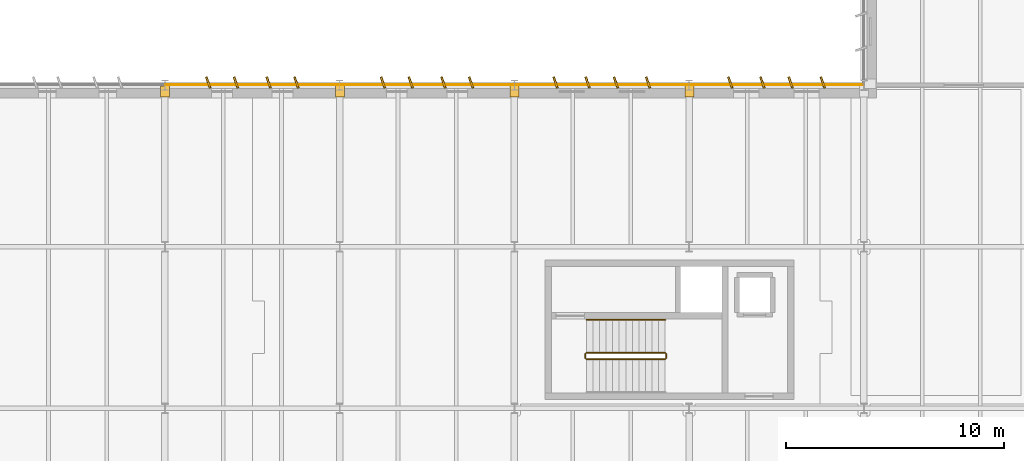
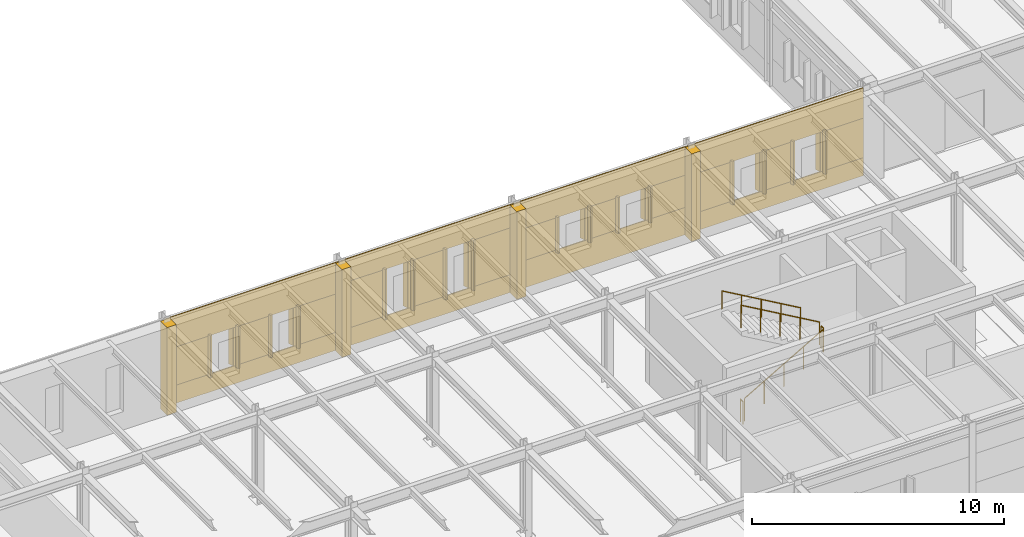
# One storey, part 66 of 75: 40 coverings, 5 railings.
"""IFC4 building model written with IfcOpenShell, lengths in metres."""

from ifc_helpers import new_model, si_unit, direction, frame, frame_2d, origin, origin_2d, place, context, subcontext, project, spatial, rectangle, circle, extrude, material, layer, layer_set, type_object, element, save


model = new_model("IFC4")

# Units and contexts
model_context = context("Model", 3, precision=1e-05, world=origin(), true_north=direction((0.0, 1.0)))
body_context = subcontext(model_context, "Body", "Model", "MODEL_VIEW")
ifc_project = project(units=[si_unit("LENGTHUNIT", "METRE"), si_unit("AREAUNIT", "SQUARE_METRE"), si_unit("VOLUMEUNIT", "CUBIC_METRE"), si_unit("PLANEANGLEUNIT", "RADIAN"), si_unit("MASSUNIT", "GRAM", prefix="KILO")], contexts=[model_context])

# Site, building, storey
site_placement = place(None, origin())
site = spatial("IfcSite", under=ifc_project, at=site_placement, CompositionType="ELEMENT")
building_placement = place(site_placement, origin())
building = spatial("IfcBuilding", under=site, at=building_placement, Name="Valkorina Park Police Headquarters", CompositionType="ELEMENT")
storey_placement = place(building_placement, frame((0.0, 0.0, 5.39990234375)))
storey = spatial("IfcBuildingStorey", under=building, at=storey_placement, Name="L02", CompositionType="ELEMENT", Elevation=5.39990234375)

# Coverings
ifc_material_1 = material(Name="Precast concrete C40/50", Category="concrete")
ifc_layer = layer(ifc_material_1, 0.044921875)
ifc_layer_set = layer_set([ifc_layer], Name="Precast concrete C40/50")
covering_type = type_object("IfcCoveringType", Name="COV-CLAD-DOLOMITE", PredefinedType="CLADDING", material=ifc_layer_set)
for number, where, z_axis, x_axis, name in (
    (1, (64.81005859375, 81.110107421875, 0.0), (0.0, 0.0, 1.0), (1.0, 0.0, 0.0), "L02 Exterior Joint Closure Pilaster B 1242"),
    (2, (72.81005859375, 81.110107421875, 0.0), (0.0, 0.0, 1.0), (1.0, 0.0, 0.0), "L02 Exterior Joint Closure Pilaster B 1252"),
):
    element("IfcCovering", number, at=place(storey_placement, frame(where, z_axis=z_axis, x_axis=x_axis)), inside=storey, type_object=covering_type, Name=name, PredefinedType="CLADDING", context=body_context, shape_type="SweptSolid", body=[
        extrude(rectangle(XDim=0.419921875, YDim=0.52197265625, at=origin_2d()), origin(), (0.0, 0.0, 1.0), 4.239990234375),
    ])
for number, where, z_axis, x_axis, name in (
    (3, (66.78271484375, 81.52001953125, 0.780029296875), (0.0, 0.0, 1.0), (-0.317304656405, 0.948323655206, 0.0), "Slanted 18.5-deg Precast Window Slot Fin 1253"),
    (4, (68.052490234375, 81.52001953125, 0.780029296875), (0.0, 0.0, 1.0), (-0.317304656405, 0.948323655206, 0.0), "Slanted 18.5-deg Precast Window Slot Fin 1254"),
    (5, (69.54736328125, 81.52001953125, 0.780029296875), (0.0, 0.0, 1.0), (-0.317304656405, 0.948323655206, 0.0), "Slanted 18.5-deg Precast Window Slot Fin 1255"),
    (6, (70.8173828125, 81.52001953125, 0.780029296875), (0.0, 0.0, 1.0), (-0.317304656405, 0.948323655206, 0.0), "Slanted 18.5-deg Precast Window Slot Fin 1256"),
):
    element("IfcCovering", number, at=place(storey_placement, frame(where, z_axis=z_axis, x_axis=x_axis)), inside=storey, type_object=covering_type, Name=name, PredefinedType="CLADDING", context=body_context, shape_type="SweptSolid", body=[
        extrude(rectangle(XDim=0.5400390625, YDim=0.090087890625, at=origin_2d()), origin(), (0.0, 0.0, 1.0), 2.0400390625),
    ])
covering_1_placement = place(storey_placement, frame((64.820068359375, 81.4150390625, 0.0), z_axis=(0.0, 0.0, 1.0), x_axis=(1.0, 0.0, 0.0)))
element("IfcCovering", 7, at=covering_1_placement, inside=storey, type_object=covering_type, Name="L02 Calm Concrete Base Sill Spandrel 1257", PredefinedType="CLADDING", context=body_context, shape_type="SweptSolid", body=[
    extrude(rectangle(XDim=7.9599609375, YDim=0.044921875, at=frame_2d((3.97998046875, 0.0))), origin(), (0.0, 0.0, 1.0), 0.8701171875),
])
covering_2_placement = place(storey_placement, frame((64.820068359375, 81.4150390625, 2.72998046875), z_axis=(0.0, 0.0, 1.0), x_axis=(1.0, 0.0, 0.0)))
element("IfcCovering", 8, at=covering_2_placement, inside=storey, type_object=covering_type, Name="L02 Calm Concrete Base Lintel Spandrel 1258", PredefinedType="CLADDING", context=body_context, shape_type="SweptSolid", body=[
    extrude(rectangle(XDim=7.9599609375, YDim=0.044921875, at=frame_2d((3.97998046875, 0.0))), origin(), (0.0, 0.0, 1.0), 1.510009765625),
])
covering_3_placement = place(storey_placement, frame((64.820068359375, 81.4150390625, 0.8701171875), z_axis=(0.0, 0.0, 1.0), x_axis=(1.0, 0.0, 0.0)))
element("IfcCovering", 9, at=covering_3_placement, inside=storey, type_object=covering_type, Name="L02 Calm Concrete Base Slot Pier 1259", PredefinedType="CLADDING", context=body_context, shape_type="SweptSolid", body=[
    extrude(rectangle(XDim=2.072509765625, YDim=0.044921875, at=frame_2d((1.0361328125, 0.0))), origin(), (0.0, 0.0, 1.0), 1.85986328125),
])
covering_4_placement = place(storey_placement, frame((67.942626953125, 81.4150390625, 0.8701171875), z_axis=(0.0, 0.0, 1.0), x_axis=(1.0, 0.0, 0.0)))
element("IfcCovering", 10, at=covering_4_placement, inside=storey, type_object=covering_type, Name="L02 Calm Concrete Base Slot Pier 1260", PredefinedType="CLADDING", context=body_context, shape_type="SweptSolid", body=[
    extrude(rectangle(XDim=1.71484375, YDim=0.044921875, at=frame_2d((0.857421875, 0.0))), origin(), (0.0, 0.0, 1.0), 1.85986328125),
])
covering_5_placement = place(storey_placement, frame((70.70751953125, 81.4150390625, 0.8701171875), z_axis=(0.0, 0.0, 1.0), x_axis=(1.0, 0.0, 0.0)))
element("IfcCovering", 11, at=covering_5_placement, inside=storey, type_object=covering_type, Name="L02 Calm Concrete Base Slot Pier 1261", PredefinedType="CLADDING", context=body_context, shape_type="SweptSolid", body=[
    extrude(rectangle(XDim=2.072509765625, YDim=0.044921875, at=frame_2d((1.0361328125, 0.0))), origin(), (0.0, 0.0, 1.0), 1.85986328125),
])
covering_6_placement = place(storey_placement, frame((80.81005859375, 81.110107421875, 0.0), z_axis=(0.0, 0.0, 1.0), x_axis=(1.0, 0.0, 0.0)))
element("IfcCovering", 12, at=covering_6_placement, inside=storey, type_object=covering_type, Name="L02 Exterior Joint Closure Pilaster B 1262", PredefinedType="CLADDING", context=body_context, shape_type="SweptSolid", body=[
    extrude(rectangle(XDim=0.419921875, YDim=0.52197265625, at=origin_2d()), origin(), (0.0, 0.0, 1.0), 4.239990234375),
])
for number, where, z_axis, x_axis, name in (
    (13, (74.78271484375, 81.52001953125, 0.780029296875), (0.0, 0.0, 1.0), (-0.317304656405, 0.948323655206, 0.0), "Slanted 18.5-deg Precast Window Slot Fin 1263"),
    (14, (76.052490234375, 81.52001953125, 0.780029296875), (0.0, 0.0, 1.0), (-0.317304656405, 0.948323655206, 0.0), "Slanted 18.5-deg Precast Window Slot Fin 1264"),
    (15, (77.54736328125, 81.52001953125, 0.780029296875), (0.0, 0.0, 1.0), (-0.317304656405, 0.948323655206, 0.0), "Slanted 18.5-deg Precast Window Slot Fin 1265"),
    (16, (78.8173828125, 81.52001953125, 0.780029296875), (0.0, 0.0, 1.0), (-0.317304656405, 0.948323655206, 0.0), "Slanted 18.5-deg Precast Window Slot Fin 1266"),
):
    element("IfcCovering", number, at=place(storey_placement, frame(where, z_axis=z_axis, x_axis=x_axis)), inside=storey, type_object=covering_type, Name=name, PredefinedType="CLADDING", context=body_context, shape_type="SweptSolid", body=[
        extrude(rectangle(XDim=0.5400390625, YDim=0.090087890625, at=origin_2d()), origin(), (0.0, 0.0, 1.0), 2.43994140625),
    ])
covering_7_placement = place(storey_placement, frame((72.820068359375, 81.4150390625, 0.0), z_axis=(0.0, 0.0, 1.0), x_axis=(1.0, 0.0, 0.0)))
element("IfcCovering", 17, at=covering_7_placement, inside=storey, type_object=covering_type, Name="L02 Calm Concrete Base Sill Spandrel 1267", PredefinedType="CLADDING", context=body_context, shape_type="SweptSolid", body=[
    extrude(rectangle(XDim=7.9599609375, YDim=0.044921875, at=frame_2d((3.97998046875, 0.0))), origin(), (0.0, 0.0, 1.0), 0.8701171875),
])
covering_8_placement = place(storey_placement, frame((72.820068359375, 81.4150390625, 3.130126953125), z_axis=(0.0, 0.0, 1.0), x_axis=(1.0, 0.0, 0.0)))
element("IfcCovering", 18, at=covering_8_placement, inside=storey, type_object=covering_type, Name="L02 Calm Concrete Base Lintel Spandrel 1268", PredefinedType="CLADDING", context=body_context, shape_type="SweptSolid", body=[
    extrude(rectangle(XDim=7.9599609375, YDim=0.044921875, at=frame_2d((3.97998046875, 0.0))), origin(), (0.0, 0.0, 1.0), 1.10986328125),
])
covering_9_placement = place(storey_placement, frame((72.820068359375, 81.4150390625, 0.8701171875), z_axis=(0.0, 0.0, 1.0), x_axis=(1.0, 0.0, 0.0)))
element("IfcCovering", 19, at=covering_9_placement, inside=storey, type_object=covering_type, Name="L02 Calm Concrete Base Slot Pier 1269", PredefinedType="CLADDING", context=body_context, shape_type="SweptSolid", body=[
    extrude(rectangle(XDim=2.072509765625, YDim=0.044921875, at=frame_2d((1.0361328125, 0.0))), origin(), (0.0, 0.0, 1.0), 2.260009765625),
])
covering_10_placement = place(storey_placement, frame((75.942626953125, 81.4150390625, 0.8701171875), z_axis=(0.0, 0.0, 1.0), x_axis=(1.0, 0.0, 0.0)))
element("IfcCovering", 20, at=covering_10_placement, inside=storey, type_object=covering_type, Name="L02 Calm Concrete Base Slot Pier 1270", PredefinedType="CLADDING", context=body_context, shape_type="SweptSolid", body=[
    extrude(rectangle(XDim=1.71484375, YDim=0.044921875, at=frame_2d((0.857421875, 0.0))), origin(), (0.0, 0.0, 1.0), 2.260009765625),
])
covering_11_placement = place(storey_placement, frame((78.70751953125, 81.4150390625, 0.8701171875), z_axis=(0.0, 0.0, 1.0), x_axis=(1.0, 0.0, 0.0)))
element("IfcCovering", 21, at=covering_11_placement, inside=storey, type_object=covering_type, Name="L02 Calm Concrete Base Slot Pier 1271", PredefinedType="CLADDING", context=body_context, shape_type="SweptSolid", body=[
    extrude(rectangle(XDim=2.072509765625, YDim=0.044921875, at=frame_2d((1.0361328125, 0.0))), origin(), (0.0, 0.0, 1.0), 2.260009765625),
])
covering_12_placement = place(storey_placement, frame((88.81005859375, 81.110107421875, 0.0), z_axis=(0.0, 0.0, 1.0), x_axis=(1.0, 0.0, 0.0)))
element("IfcCovering", 22, at=covering_12_placement, inside=storey, type_object=covering_type, Name="L02 Exterior Joint Closure Pilaster B 1272", PredefinedType="CLADDING", context=body_context, shape_type="SweptSolid", body=[
    extrude(rectangle(XDim=0.419921875, YDim=0.52197265625, at=origin_2d()), origin(), (0.0, 0.0, 1.0), 4.239990234375),
])
for number, where, z_axis, x_axis, name in (
    (23, (82.6826171875, 81.52001953125, 1.22998046875), (0.0, 0.0, 1.0), (-0.317304656405, 0.948323655206, 0.0), "Slanted 18.5-deg Precast Window Slot Fin 1273"),
    (24, (84.152587890625, 81.52001953125, 1.22998046875), (0.0, 0.0, 1.0), (-0.317304656405, 0.948323655206, 0.0), "Slanted 18.5-deg Precast Window Slot Fin 1274"),
    (25, (85.447509765625, 81.52001953125, 1.22998046875), (0.0, 0.0, 1.0), (-0.317304656405, 0.948323655206, 0.0), "Slanted 18.5-deg Precast Window Slot Fin 1275"),
    (26, (86.91748046875, 81.52001953125, 1.22998046875), (0.0, 0.0, 1.0), (-0.317304656405, 0.948323655206, 0.0), "Slanted 18.5-deg Precast Window Slot Fin 1276"),
):
    element("IfcCovering", number, at=place(storey_placement, frame(where, z_axis=z_axis, x_axis=x_axis)), inside=storey, type_object=covering_type, Name=name, PredefinedType="CLADDING", context=body_context, shape_type="SweptSolid", body=[
        extrude(rectangle(XDim=0.5400390625, YDim=0.090087890625, at=origin_2d()), origin(), (0.0, 0.0, 1.0), 1.739990234375),
    ])
covering_13_placement = place(storey_placement, frame((80.820068359375, 81.4150390625, 0.0), z_axis=(0.0, 0.0, 1.0), x_axis=(1.0, 0.0, 0.0)))
element("IfcCovering", 27, at=covering_13_placement, inside=storey, type_object=covering_type, Name="L02 Calm Concrete Base Sill Spandrel 1277", PredefinedType="CLADDING", context=body_context, shape_type="SweptSolid", body=[
    extrude(rectangle(XDim=7.9599609375, YDim=0.044921875, at=frame_2d((3.97998046875, 0.0))), origin(), (0.0, 0.0, 1.0), 1.320068359375),
])
covering_14_placement = place(storey_placement, frame((80.820068359375, 81.4150390625, 2.880126953125), z_axis=(0.0, 0.0, 1.0), x_axis=(1.0, 0.0, 0.0)))
element("IfcCovering", 28, at=covering_14_placement, inside=storey, type_object=covering_type, Name="L02 Calm Concrete Base Lintel Spandrel 1278", PredefinedType="CLADDING", context=body_context, shape_type="SweptSolid", body=[
    extrude(rectangle(XDim=7.9599609375, YDim=0.044921875, at=frame_2d((3.97998046875, 0.0))), origin(), (0.0, 0.0, 1.0), 1.35986328125),
])
covering_15_placement = place(storey_placement, frame((80.820068359375, 81.4150390625, 1.320068359375), z_axis=(0.0, 0.0, 1.0), x_axis=(1.0, 0.0, 0.0)))
element("IfcCovering", 29, at=covering_15_placement, inside=storey, type_object=covering_type, Name="L02 Calm Concrete Base Slot Pier 1279", PredefinedType="CLADDING", context=body_context, shape_type="SweptSolid", body=[
    extrude(rectangle(XDim=1.972412109375, YDim=0.044921875, at=frame_2d((0.986328125, 0.0))), origin(), (0.0, 0.0, 1.0), 1.56005859375),
])
covering_16_placement = place(storey_placement, frame((84.04248046875, 81.4150390625, 1.320068359375), z_axis=(0.0, 0.0, 1.0), x_axis=(1.0, 0.0, 0.0)))
element("IfcCovering", 30, at=covering_16_placement, inside=storey, type_object=covering_type, Name="L02 Calm Concrete Base Slot Pier 1280", PredefinedType="CLADDING", context=body_context, shape_type="SweptSolid", body=[
    extrude(rectangle(XDim=1.514892578125, YDim=0.044921875, at=frame_2d((0.75732421875, 0.0))), origin(), (0.0, 0.0, 1.0), 1.56005859375),
])
covering_17_placement = place(storey_placement, frame((86.807373046875, 81.4150390625, 1.320068359375), z_axis=(0.0, 0.0, 1.0), x_axis=(1.0, 0.0, 0.0)))
element("IfcCovering", 31, at=covering_17_placement, inside=storey, type_object=covering_type, Name="L02 Calm Concrete Base Slot Pier 1281", PredefinedType="CLADDING", context=body_context, shape_type="SweptSolid", body=[
    extrude(rectangle(XDim=1.97265625, YDim=0.044921875, at=frame_2d((0.986328125, 0.0))), origin(), (0.0, 0.0, 1.0), 1.56005859375),
])
for number, where, z_axis, x_axis, name in (
    (32, (90.6826171875, 81.52001953125, 0.7802734375), (0.0, 0.0, 1.0), (-0.317304656405, 0.948323655206, 0.0), "Slanted 18.5-deg Precast Window Slot Fin 1283"),
    (33, (92.152587890625, 81.52001953125, 0.7802734375), (0.0, 0.0, 1.0), (-0.317304656405, 0.948323655206, 0.0), "Slanted 18.5-deg Precast Window Slot Fin 1284"),
    (34, (93.447509765625, 81.52001953125, 0.7802734375), (0.0, 0.0, 1.0), (-0.317304656405, 0.948323655206, 0.0), "Slanted 18.5-deg Precast Window Slot Fin 1285"),
    (35, (94.91748046875, 81.52001953125, 0.7802734375), (0.0, 0.0, 1.0), (-0.317304656405, 0.948323655206, 0.0), "Slanted 18.5-deg Precast Window Slot Fin 1286"),
):
    element("IfcCovering", number, at=place(storey_placement, frame(where, z_axis=z_axis, x_axis=x_axis)), inside=storey, type_object=covering_type, Name=name, PredefinedType="CLADDING", context=body_context, shape_type="SweptSolid", body=[
        extrude(rectangle(XDim=0.5400390625, YDim=0.090087890625, at=origin_2d()), origin(), (0.0, 0.0, 1.0), 2.090087890625),
    ])
covering_18_placement = place(storey_placement, frame((88.820068359375, 81.4150390625, 0.0), z_axis=(0.0, 0.0, 1.0), x_axis=(1.0, 0.0, 0.0)))
element("IfcCovering", 36, at=covering_18_placement, inside=storey, type_object=covering_type, Name="L02 Calm Concrete Base Sill Spandrel 1287", PredefinedType="CLADDING", context=body_context, shape_type="SweptSolid", body=[
    extrude(rectangle(XDim=7.9599609375, YDim=0.044921875, at=frame_2d((3.97998046875, 0.0))), origin(), (0.0, 0.0, 1.0), 0.8701171875),
])
covering_19_placement = place(storey_placement, frame((88.820068359375, 81.4150390625, 2.780029296875), z_axis=(0.0, 0.0, 1.0), x_axis=(1.0, 0.0, 0.0)))
element("IfcCovering", 37, at=covering_19_placement, inside=storey, type_object=covering_type, Name="L02 Calm Concrete Base Lintel Spandrel 1288", PredefinedType="CLADDING", context=body_context, shape_type="SweptSolid", body=[
    extrude(rectangle(XDim=7.9599609375, YDim=0.044921875, at=frame_2d((3.97998046875, 0.0))), origin(), (0.0, 0.0, 1.0), 1.4599609375),
])
covering_20_placement = place(storey_placement, frame((88.820068359375, 81.4150390625, 0.8701171875), z_axis=(0.0, 0.0, 1.0), x_axis=(1.0, 0.0, 0.0)))
element("IfcCovering", 38, at=covering_20_placement, inside=storey, type_object=covering_type, Name="L02 Calm Concrete Base Slot Pier 1289", PredefinedType="CLADDING", context=body_context, shape_type="SweptSolid", body=[
    extrude(rectangle(XDim=1.972412109375, YDim=0.044921875, at=frame_2d((0.986328125, 0.0))), origin(), (0.0, 0.0, 1.0), 1.909912109375),
])
covering_21_placement = place(storey_placement, frame((92.04248046875, 81.4150390625, 0.8701171875), z_axis=(0.0, 0.0, 1.0), x_axis=(1.0, 0.0, 0.0)))
element("IfcCovering", 39, at=covering_21_placement, inside=storey, type_object=covering_type, Name="L02 Calm Concrete Base Slot Pier 1290", PredefinedType="CLADDING", context=body_context, shape_type="SweptSolid", body=[
    extrude(rectangle(XDim=1.514892578125, YDim=0.044921875, at=frame_2d((0.75732421875, 0.0))), origin(), (0.0, 0.0, 1.0), 1.909912109375),
])
covering_22_placement = place(storey_placement, frame((94.807373046875, 81.4150390625, 0.8701171875), z_axis=(0.0, 0.0, 1.0), x_axis=(1.0, 0.0, 0.0)))
element("IfcCovering", 40, at=covering_22_placement, inside=storey, type_object=covering_type, Name="L02 Calm Concrete Base Slot Pier 1291", PredefinedType="CLADDING", context=body_context, shape_type="SweptSolid", body=[
    extrude(rectangle(XDim=1.97265625, YDim=0.044921875, at=frame_2d((0.986328125, 0.0))), origin(), (0.0, 0.0, 1.0), 1.909912109375),
])

# Railings
ifc_material_2 = material(Name="Stainless steel EN 1.4404", Category="steel")
railing_type_1 = type_object("IfcRailingType", Name="RL-GUARD-INT-1100", PredefinedType="BALUSTRADE", material=ifc_material_2)
railing_1_placement = place(storey_placement, frame((84.10009765625, 68.85009765625, 0.173095703125)))
element("IfcRailing", 41, at=railing_1_placement, inside=storey, type_object=railing_type_1, Name="L02 Core C6 Stair Guard 1", PredefinedType="BALUSTRADE", context=body_context, shape_type="SweptSolid", body=[
    extrude(circle(Radius=0.02392578125, at=origin_2d()), frame((0.0, 0.0, 1.09619140625), z_axis=(0.866178740119, 0.0, 0.499734319579), x_axis=(0.0, 1.0, 0.0)), (0.0, 0.0, 1.0), 4.156005859375),
    extrude(circle(Radius=0.02099609375, at=origin_2d()), origin(), (0.0, 0.0, 1.0), 1.072021484375),
    extrude(circle(Radius=0.02099609375, at=origin_2d()), frame((0.89990234375, 0.0, 0.519287109375)), (0.0, 0.0, 1.0), 1.072021484375),
    extrude(circle(Radius=0.02099609375, at=origin_2d()), frame((1.7998046875, 0.0, 1.03857421875)), (0.0, 0.0, 1.0), 1.072021484375),
    extrude(circle(Radius=0.02099609375, at=origin_2d()), frame((2.699951171875, 0.0, 1.5576171875)), (0.0, 0.0, 1.0), 1.072021484375),
    extrude(circle(Radius=0.02099609375, at=origin_2d()), frame((3.599853515625, 0.0, 2.076904296875)), (0.0, 0.0, 1.0), 1.072021484375),
])
railing_2_placement = place(storey_placement, frame((87.75, 68.89990234375, 2.25)))
element("IfcRailing", 42, at=railing_2_placement, inside=storey, type_object=railing_type_1, Name="L02 Core C6 Stair Guard 2", PredefinedType="BALUSTRADE", context=body_context, shape_type="SweptSolid", body=[
    extrude(circle(Radius=0.02392578125, at=origin_2d()), frame((0.0, 0.0, 1.09619140625), z_axis=(0.0, 1.0, 0.0), x_axis=(-1.0, 0.0, 0.0)), (0.0, 0.0, 1.0), 0.2001953125),
    extrude(circle(Radius=0.02099609375, at=origin_2d()), origin(), (0.0, 0.0, 1.0), 1.072021484375),
    extrude(circle(Radius=0.02099609375, at=origin_2d()), frame((0.0, 0.2001953125, 0.0)), (0.0, 0.0, 1.0), 1.072021484375),
])
railing_3_placement = place(storey_placement, frame((87.699951171875, 69.14990234375, 2.423095703125)))
element("IfcRailing", 43, at=railing_3_placement, inside=storey, type_object=railing_type_1, Name="L02 Core C6 Stair Guard 3", PredefinedType="BALUSTRADE", context=body_context, shape_type="SweptSolid", body=[
    extrude(circle(Radius=0.02392578125, at=origin_2d()), frame((0.0, 0.0, 1.09619140625), z_axis=(-0.866178740119, 0.0, 0.499734319579), x_axis=(0.0, -1.0, 0.0)), (0.0, 0.0, 1.0), 4.156005859375),
    extrude(circle(Radius=0.02099609375, at=origin_2d()), origin(), (0.0, 0.0, 1.0), 1.072021484375),
    extrude(circle(Radius=0.02099609375, at=origin_2d()), frame((-0.89990234375, 0.0, 0.519287109375)), (0.0, 0.0, 1.0), 1.072021484375),
    extrude(circle(Radius=0.02099609375, at=origin_2d()), frame((-1.7998046875, 0.0, 1.03857421875)), (0.0, 0.0, 1.0), 1.072021484375),
    extrude(circle(Radius=0.02099609375, at=origin_2d()), frame((-2.699951171875, 0.0, 1.5576171875)), (0.0, 0.0, 1.0), 1.072021484375),
    extrude(circle(Radius=0.02099609375, at=origin_2d()), frame((-3.599853515625, 0.0, 2.076904296875)), (0.0, 0.0, 1.0), 1.072021484375),
])
railing_4_placement = place(storey_placement, frame((84.050048828125, 68.89990234375, 0.0)))
element("IfcRailing", 44, at=railing_4_placement, inside=storey, type_object=railing_type_1, Name="L02 Core C6 Stair Guard 4", PredefinedType="BALUSTRADE", context=body_context, shape_type="SweptSolid", body=[
    extrude(circle(Radius=0.02392578125, at=origin_2d()), frame((0.0, 0.0, 1.09619140625), z_axis=(0.0, 1.0, 0.0), x_axis=(-1.0, 0.0, 0.0)), (0.0, 0.0, 1.0), 0.2001953125),
    extrude(circle(Radius=0.02099609375, at=origin_2d()), origin(), (0.0, 0.0, 1.0), 1.072021484375),
    extrude(circle(Radius=0.02099609375, at=origin_2d()), frame((0.0, 0.2001953125, 0.0)), (0.0, 0.0, 1.0), 1.072021484375),
])
railing_type_2 = type_object("IfcRailingType", Name="RL-HANDRAIL-900", PredefinedType="HANDRAIL", material=ifc_material_2)
railing_5_placement = place(storey_placement, frame((87.699951171875, 70.64990234375, 2.423095703125)))
element("IfcRailing", 45, at=railing_5_placement, inside=storey, type_object=railing_type_2, Name="L02 Core C6 Stair Handrail 2", PredefinedType="HANDRAIL", context=body_context, shape_type="SweptSolid", body=[
    extrude(circle(Radius=0.02392578125, at=origin_2d()), frame((0.0, 0.0, 0.8759765625), z_axis=(-0.866178740119, 0.0, 0.499734319579), x_axis=(0.0, -1.0, 0.0)), (0.0, 0.0, 1.0), 4.156005859375),
    extrude(circle(Radius=0.02099609375, at=origin_2d()), origin(), (0.0, 0.0, 1.0), 0.851806640625),
    extrude(circle(Radius=0.02099609375, at=origin_2d()), frame((-0.89990234375, 0.0, 0.519287109375)), (0.0, 0.0, 1.0), 0.851806640625),
    extrude(circle(Radius=0.02099609375, at=origin_2d()), frame((-1.7998046875, 0.0, 1.03857421875)), (0.0, 0.0, 1.0), 0.851806640625),
    extrude(circle(Radius=0.02099609375, at=origin_2d()), frame((-2.699951171875, 0.0, 1.5576171875)), (0.0, 0.0, 1.0), 0.851806640625),
    extrude(circle(Radius=0.02099609375, at=origin_2d()), frame((-3.599853515625, 0.0, 2.076904296875)), (0.0, 0.0, 1.0), 0.851806640625),
])

save(model, "model.ifc")
